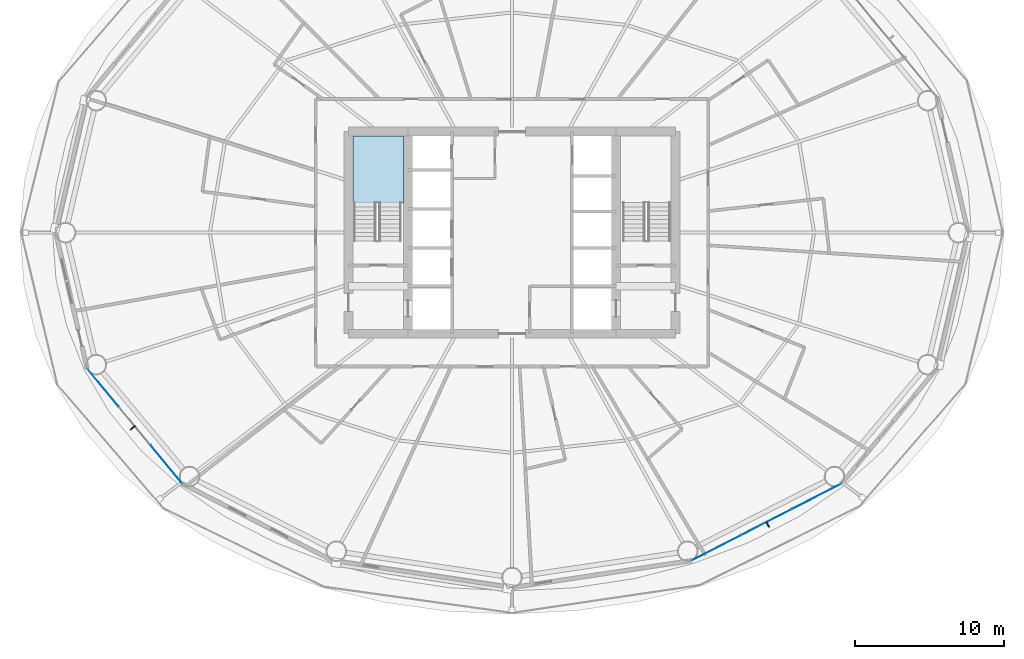
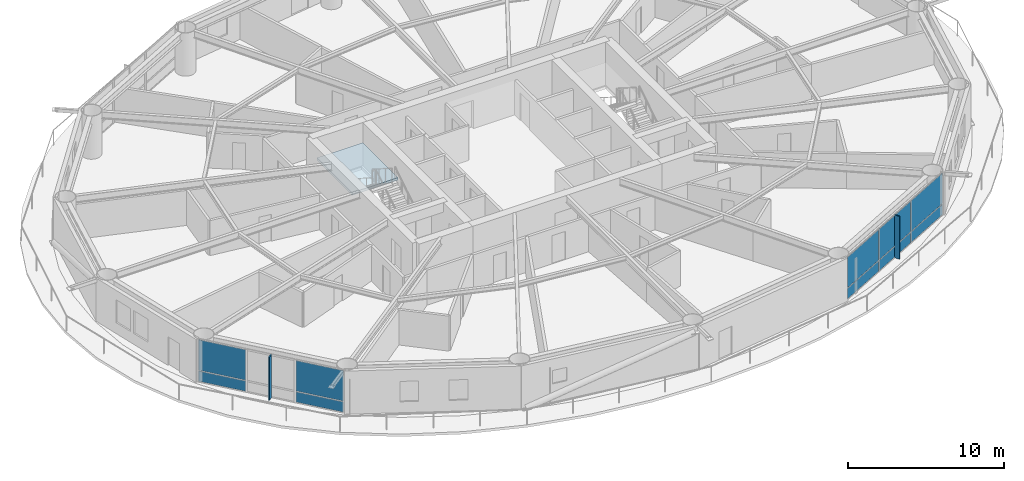
# One storey, part 16 of 26: 12 plates, 1 slab, 3 elements without a shape of their own.
"""IFC4 building model written with IfcOpenShell, lengths in metres."""

from ifc_helpers import new_model, si_unit, direction, frame, origin, origin_2d, place, context, subcontext, project, spatial, polyline, rectangle, outline, extrude, material, layer, layer_set, type_object, element, aggregate, save


model = new_model("IFC4")

# Units and contexts
model_context = context("Model", 3, precision=1e-05, world=origin(), true_north=direction((0.0, 1.0)))
body_context = subcontext(model_context, "Body", "Model", "MODEL_VIEW")
ifc_project = project(units=[si_unit("LENGTHUNIT", "METRE"), si_unit("AREAUNIT", "SQUARE_METRE"), si_unit("VOLUMEUNIT", "CUBIC_METRE"), si_unit("PLANEANGLEUNIT", "RADIAN"), si_unit("MASSUNIT", "GRAM", prefix="KILO")], contexts=[model_context])

# Site, building, storey
site_placement = place(None, origin())
site = spatial("IfcSite", under=ifc_project, at=site_placement, CompositionType="ELEMENT")
building_placement = place(site_placement, origin())
building = spatial("IfcBuilding", under=site, at=building_placement, Name="Sarneth Arch Tower", CompositionType="ELEMENT")
storey_placement = place(building_placement, frame((0.0, 0.0, 53.39990234375)))
storey = spatial("IfcBuildingStorey", under=building, at=storey_placement, Name="L12", CompositionType="ELEMENT", Elevation=53.39990234375)

# Curtain wall, plates
ifc_material_1 = material(Name="Anodised aluminium Type AA25 and solar-control low-e laminated IGU", Category="aluminium")
ifc_layer_1 = layer(ifc_material_1, 0.159912109375)
ifc_layer_set_1 = layer_set([ifc_layer_1], Name="Anodised aluminium Type AA25 and solar-control low-e laminated IGU")
curtain_wall_type = type_object("IfcCurtainWallType", Name="CW-HOTEL-LOW", PredefinedType="NOTDEFINED", material=ifc_layer_set_1)
curtain_wall_1_placement = place(storey_placement, origin())
curtain_wall_1 = element("IfcCurtainWall", 1, at=curtain_wall_1_placement, inside=storey, type_object=curtain_wall_type, Name="L12 Unitised curtain wall facet 10", PredefinedType="NOTDEFINED")
ifc_material_2 = material(Name="Solar-control low-e laminated IGU", Category="glass")
ifc_layer_2 = layer(ifc_material_2, 0.028076171875)
ifc_layer_set_2 = layer_set([ifc_layer_2], Name="Solar-control low-e laminated IGU")
plate_type_1 = type_object("IfcPlateType", Name="CW-PANEL", PredefinedType="CURTAIN_PANEL", material=ifc_layer_set_2)
plate_1_placement = place(storey_placement, frame((20.496337890625, 31.558837890625, 0.06005859375), z_axis=(0.0, 0.0, 1.0), x_axis=(0.637291340827, -0.770622960278, 0.0)))
plate_1 = element("IfcPlate", 2, at=plate_1_placement, type_object=plate_type_1, Name="Curtain wall glazed vision pane CW-L12-F10/P00-00", PredefinedType="CURTAIN_PANEL", context=body_context, shape_type="SweptSolid", body=[
    extrude(rectangle(XDim=3.260986328125, YDim=0.028076171875, at=origin_2d()), origin(), (0.0, 0.0, 1.0), 0.81005859375),
])
plate_2_placement = place(storey_placement, frame((20.496337890625, 31.558837890625, 0.93017578125), z_axis=(0.0, 0.0, 1.0), x_axis=(0.637291340827, -0.770622960278, 0.0)))
plate_2 = element("IfcPlate", 3, at=plate_2_placement, type_object=plate_type_1, Name="Curtain wall glazed vision pane CW-L12-F10/P00-01", PredefinedType="CURTAIN_PANEL", context=body_context, shape_type="SweptSolid", body=[
    extrude(rectangle(XDim=3.260986328125, YDim=0.028076171875, at=origin_2d()), origin(), (0.0, 0.0, 1.0), 2.389892578125),
])
plate_3_placement = place(storey_placement, frame((24.74853515625, 26.4169921875, 0.06005859375), z_axis=(0.0, 0.0, 1.0), x_axis=(0.637291340827, -0.770622960278, 0.0)))
plate_3 = element("IfcPlate", 4, at=plate_3_placement, type_object=plate_type_1, Name="Curtain wall glazed vision pane CW-L12-F10/P02-00", PredefinedType="CURTAIN_PANEL", context=body_context, shape_type="SweptSolid", body=[
    extrude(rectangle(XDim=3.260986328125, YDim=0.028076171875, at=origin_2d()), origin(), (0.0, 0.0, 1.0), 0.81005859375),
])
plate_4_placement = place(storey_placement, frame((24.74853515625, 26.4169921875, 0.93017578125), z_axis=(0.0, 0.0, 1.0), x_axis=(0.637291340827, -0.770622960278, 0.0)))
plate_4 = element("IfcPlate", 5, at=plate_4_placement, type_object=plate_type_1, Name="Curtain wall glazed vision pane CW-L12-F10/P02-01", PredefinedType="CURTAIN_PANEL", context=body_context, shape_type="SweptSolid", body=[
    extrude(rectangle(XDim=3.260986328125, YDim=0.028076171875, at=origin_2d()), origin(), (0.0, 0.0, 1.0), 2.389892578125),
])
aggregate(curtain_wall_1, [plate_1, plate_2, plate_3, plate_4])

curtain_wall_2_placement = place(storey_placement, origin())
curtain_wall_2 = element("IfcCurtainWall", 6, at=curtain_wall_2_placement, inside=storey, type_object=curtain_wall_type, Name="L12 Unitised curtain wall facet 14", PredefinedType="NOTDEFINED")
plate_5_placement = place(storey_placement, frame((61.77392578125, 20.807373046875, 0.06005859375), z_axis=(0.0, 0.0, 1.0), x_axis=(0.889854100456, 0.456245197127, 0.0)))
plate_5 = element("IfcPlate", 7, at=plate_5_placement, type_object=plate_type_1, Name="Curtain wall glazed vision pane CW-L12-F14/P00-00", PredefinedType="CURTAIN_PANEL", context=body_context, shape_type="SweptSolid", body=[
    extrude(rectangle(XDim=3.69189453125, YDim=0.028076171875, at=origin_2d()), origin(), (0.0, 0.0, 1.0), 0.81005859375),
])
plate_6_placement = place(storey_placement, frame((61.77392578125, 20.807373046875, 0.93017578125), z_axis=(0.0, 0.0, 1.0), x_axis=(0.889854100456, 0.456245197127, 0.0)))
plate_6 = element("IfcPlate", 8, at=plate_6_placement, type_object=plate_type_1, Name="Curtain wall glazed vision pane CW-L12-F14/P00-01", PredefinedType="CURTAIN_PANEL", context=body_context, shape_type="SweptSolid", body=[
    extrude(rectangle(XDim=3.69189453125, YDim=0.028076171875, at=origin_2d()), origin(), (0.0, 0.0, 1.0), 2.389892578125),
])
plate_7_placement = place(storey_placement, frame((65.1259765625, 22.526123046875, 0.06005859375), z_axis=(0.0, 0.0, 1.0), x_axis=(0.889854100456, 0.456245197127, 0.0)))
plate_7 = element("IfcPlate", 9, at=plate_7_placement, type_object=plate_type_1, Name="Curtain wall glazed vision pane CW-L12-F14/P01-00", PredefinedType="CURTAIN_PANEL", context=body_context, shape_type="SweptSolid", body=[
    extrude(rectangle(XDim=3.721923828125, YDim=0.028076171875, at=origin_2d()), origin(), (0.0, 0.0, 1.0), 0.81005859375),
])
plate_8_placement = place(storey_placement, frame((65.1259765625, 22.526123046875, 0.93017578125), z_axis=(0.0, 0.0, 1.0), x_axis=(0.889854100456, 0.456245197127, 0.0)))
plate_8 = element("IfcPlate", 10, at=plate_8_placement, type_object=plate_type_1, Name="Curtain wall glazed vision pane CW-L12-F14/P01-01", PredefinedType="CURTAIN_PANEL", context=body_context, shape_type="SweptSolid", body=[
    extrude(rectangle(XDim=3.721923828125, YDim=0.028076171875, at=origin_2d()), origin(), (0.0, 0.0, 1.0), 2.389892578125),
])
plate_9_placement = place(storey_placement, frame((68.47802734375, 24.24462890625, 0.06005859375), z_axis=(0.0, 0.0, 1.0), x_axis=(0.889854100456, 0.456245197127, 0.0)))
plate_9 = element("IfcPlate", 11, at=plate_9_placement, type_object=plate_type_1, Name="Curtain wall glazed vision pane CW-L12-F14/P02-00", PredefinedType="CURTAIN_PANEL", context=body_context, shape_type="SweptSolid", body=[
    extrude(rectangle(XDim=3.69189453125, YDim=0.028076171875, at=origin_2d()), origin(), (0.0, 0.0, 1.0), 0.81005859375),
])
plate_10_placement = place(storey_placement, frame((68.47802734375, 24.24462890625, 0.93017578125), z_axis=(0.0, 0.0, 1.0), x_axis=(0.889854100456, 0.456245197127, 0.0)))
plate_10 = element("IfcPlate", 12, at=plate_10_placement, type_object=plate_type_1, Name="Curtain wall glazed vision pane CW-L12-F14/P02-01", PredefinedType="CURTAIN_PANEL", context=body_context, shape_type="SweptSolid", body=[
    extrude(rectangle(XDim=3.69189453125, YDim=0.028076171875, at=origin_2d()), origin(), (0.0, 0.0, 1.0), 2.389892578125),
])
aggregate(curtain_wall_2, [plate_5, plate_6, plate_7, plate_8, plate_9, plate_10])

# Plates
ifc_material_3 = material(Name="Extruded glazed terracotta baguette fin on Aluminium 6063-T6 carrier", Category="masonry")
ifc_layer_3 = layer(ifc_material_3, 0.080078125)
ifc_layer_set_3 = layer_set([ifc_layer_3], Name="Extruded glazed terracotta baguette fin on Aluminium 6063-T6 carrier")
plate_type_2 = type_object("IfcPlateType", Name="SHADE-TERRA-FIN", PredefinedType="SHEET", material=ifc_layer_set_3)
for number, where, z_axis, x_axis, name in (
    (13, (22.491455078125, 28.879638671875, 0.01025390625), (0.0, 0.0, 1.0), (-0.770624482513, -0.637289500111, 0.0), "L12 Terracotta vertical shading fin 10"),
    (14, (65.20361328125, 22.374755859375, 0.01025390625), (0.0, 0.0, 1.0), (0.4563215909, -0.889814927768, 0.0), "L12 Terracotta vertical shading fin 14"),
):
    element("IfcPlate", number, at=place(storey_placement, frame(where, z_axis=z_axis, x_axis=x_axis)), inside=storey, type_object=plate_type_2, Name=name, PredefinedType="SHEET", context=body_context, shape_type="SweptSolid", body=[
        extrude(rectangle(XDim=0.419921875, YDim=0.080078125, at=origin_2d()), origin(), (0.0, 0.0, 1.0), 3.360107421875),
    ])

# Stair, slab
ifc_material_4 = material(Name="Concrete C50/60", Category="concrete")
stair_type = type_object("IfcStairType", Name="STAIR-CORE-RC", PredefinedType="HALF_TURN_STAIR", material=ifc_material_4)
stair_placement = place(storey_placement, origin())
stair = element("IfcStair", 15, at=stair_placement, inside=storey, type_object=stair_type, Name="L12 Core Exit Stair 1", PredefinedType="HALF_TURN_STAIR")
ifc_material_5 = material(Name="Concrete C50/60", Category="concrete")
ifc_layer_4 = layer(ifc_material_5, 0.199951171875)
ifc_layer_set_4 = layer_set([ifc_layer_4], Name="Concrete C50/60")
slab_type = type_object("IfcSlabType", Name="SLAB-LANDING-200", PredefinedType="LANDING", material=ifc_layer_set_4)
slab_placement = place(storey_placement, frame((0.0, 0.0, 1.60009765625)))
slab = element("IfcSlab", 16, at=slab_placement, type_object=slab_type, Name="ST-1 landing 1", PredefinedType="LANDING", context=body_context, shape_type="SweptSolid", body=[
    extrude(outline(polyline([(37.300048828125, 43.985107421875), (40.699951171875, 43.985107421875), (40.699951171875, 48.5), (37.300048828125, 48.5), (37.300048828125, 43.985107421875)])), origin(), (0.0, 0.0, 1.0), 0.199951171875),
])
aggregate(stair, [slab])

save(model, "model.ifc")
